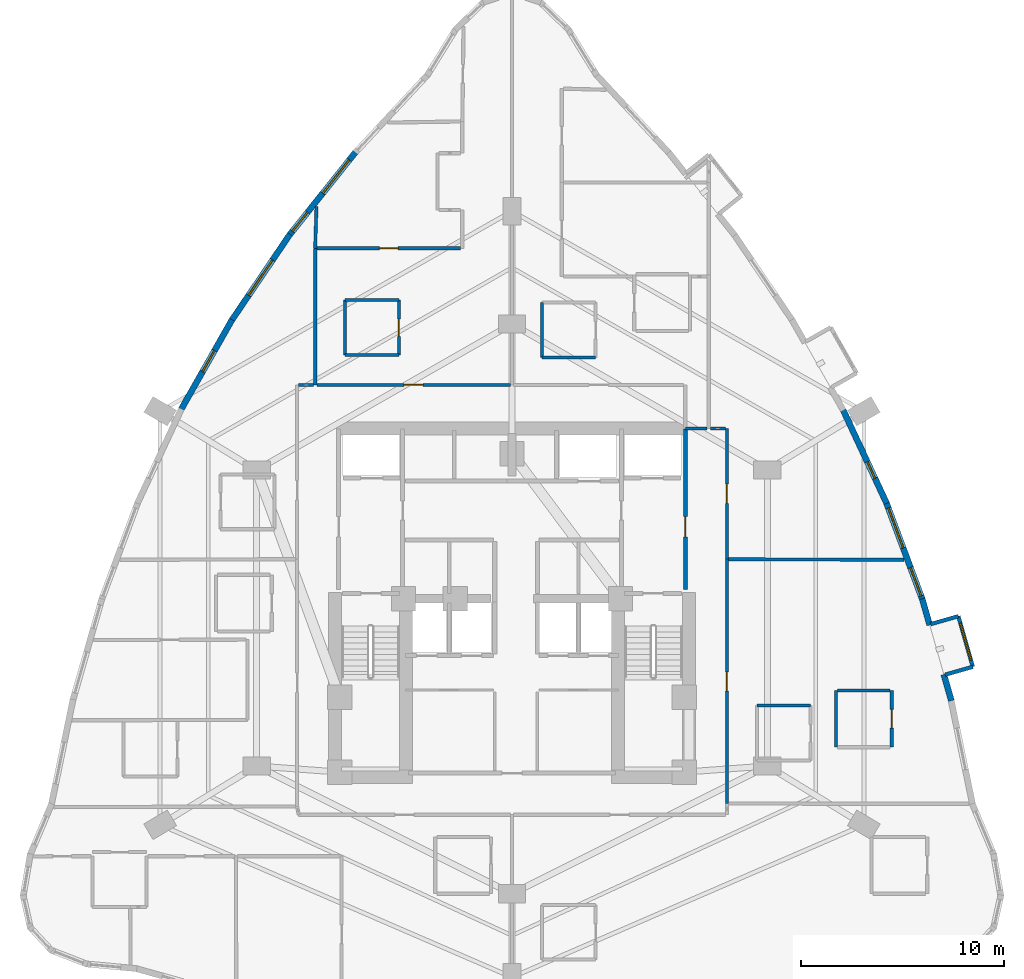
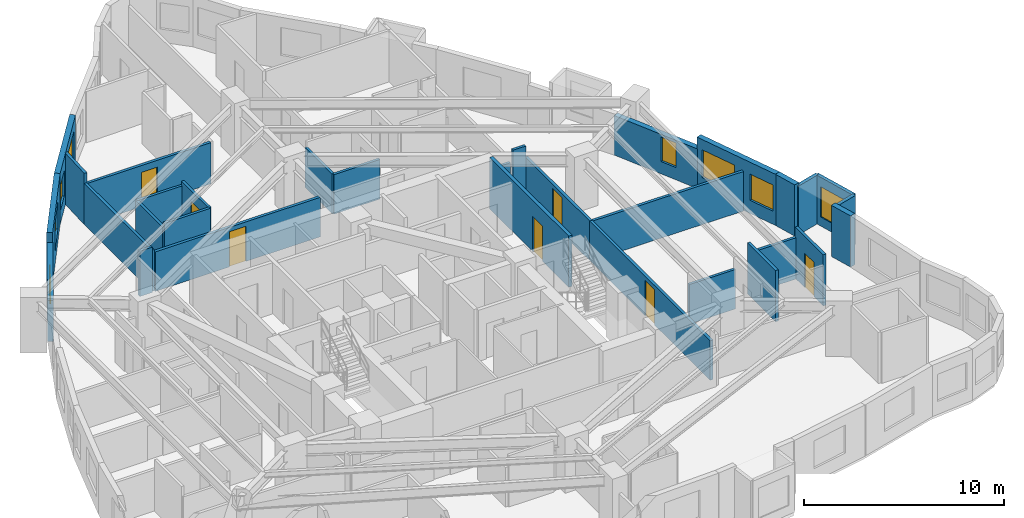
# One storey, part 12 of 15: 31 walls, 8 windows, 7 doors, 15 openings.
"""IFC4 building model written with IfcOpenShell, lengths in metres."""

from ifc_helpers import new_model, si_unit, direction, frame, frame_2d, origin, place, context, subcontext, project, spatial, rectangle, extrude, material, layer, layer_set, type_object, element, fill, save


model = new_model("IFC4")

# Units and contexts
model_context = context("Model", 3, precision=1e-05, world=origin(), true_north=direction((0.0, 1.0)))
body_context = subcontext(model_context, "Body", "Model", "MODEL_VIEW")
ifc_project = project(units=[si_unit("LENGTHUNIT", "METRE"), si_unit("AREAUNIT", "SQUARE_METRE"), si_unit("VOLUMEUNIT", "CUBIC_METRE"), si_unit("PLANEANGLEUNIT", "RADIAN"), si_unit("MASSUNIT", "GRAM", prefix="KILO")], contexts=[model_context])

# Site, building, storey
site_placement = place(None, origin())
site = spatial("IfcSite", under=ifc_project, at=site_placement, CompositionType="ELEMENT")
building_placement = place(site_placement, origin())
building = spatial("IfcBuilding", under=site, at=building_placement, Name="Miruveldt Soraemaru", CompositionType="ELEMENT")
storey_placement = place(building_placement, frame((0.0, 0.0, 83.60009765625)))
storey = spatial("IfcBuildingStorey", under=building, at=storey_placement, Name="L23", CompositionType="ELEMENT", Elevation=83.60009765625)

# Walls
ifc_material_1 = material(Name="White powder-coated aluminium EN AW-6060 T6", Category="aluminium")
ifc_layer_1 = layer(ifc_material_1, 0.18994140625, Name="White powder-coated aluminium EN AW-6060 T6", Category="aluminium")
ifc_layer_set_1 = layer_set([ifc_layer_1], Name="White powder-coated aluminium EN AW-6060 T6")
wall_type_1 = type_object("IfcWallType", Name="WALL-BAY-ALU190", PredefinedType="SOLIDWALL", material=ifc_layer_set_1)
for number, where, z_axis, x_axis, name in (
    (1, (65.36474609375, 40.301025390625, 0.0), (0.0, 0.0, 1.0), (0.961452801096, 0.274970018845, 0.0), "L23 Bay Window Side Cheek 4L"),
    (2, (66.02001953125, 43.192626953125, 0.0), (0.0, 0.0, 1.0), (-0.961452801096, -0.274970018845, 0.0), "L23 Bay Window Side Cheek 4R"),
):
    element("IfcWall", number, at=place(storey_placement, frame(where, z_axis=z_axis, x_axis=x_axis)), inside=storey, type_object=wall_type_1, Name=name, PredefinedType="SOLIDWALL", context=body_context, shape_type="SweptSolid", body=[
        extrude(rectangle(XDim=1.425048828125, YDim=0.18994140625, at=frame_2d((0.71240234375, 0.0))), origin(), (0.0, 0.0, 1.0), 2.974853515625),
    ])

# Wall, opening, window
wall_1_placement = place(storey_placement, frame((66.73486328125, 40.69287109375, 0.0), z_axis=(0.0, 0.0, 1.0), x_axis=(-0.274944358644, 0.961460139397, 0.0)))
wall_1 = element("IfcWall", 3, at=wall_1_placement, inside=storey, type_object=wall_type_1, Name="L23 Bay Window Front Frame 4", PredefinedType="SOLIDWALL", context=body_context, shape_type="SweptSolid", body=[
    extrude(rectangle(XDim=2.599853515625, YDim=0.18994140625, at=frame_2d((1.2998046875, 0.0))), origin(), (0.0, 0.0, 1.0), 2.974853515625),
])
opening_1_placement = place(wall_1_placement, frame((0.35009765625, 0.0, 0.550048828125)))
opening_1 = element("IfcOpeningElement", 4, at=opening_1_placement, cuts=wall_1, Name="Opening WN-6", PredefinedType="OPENING", context=body_context, shape_type="SweptSolid", body=[
    extrude(rectangle(XDim=1.89990234375, YDim=1.85009765625, at=frame_2d((0.949951171875, 0.925048828125))), frame((0.0, 0.10498046875, 0.0), z_axis=(0.0, -1.0, 0.0), x_axis=(1.0, 0.0, 0.0)), (0.0, 0.0, 1.0), 0.2099609375),
])
ifc_material_2 = material(Name="Triple low-e insulated glazing", Category="glass")
window_type_1 = type_object("IfcWindowType", Name="WIN-BAYW-1900x1850", PartitioningType="SINGLE_PANEL", PredefinedType="WINDOW", material=ifc_material_2)
window_1_placement = place(opening_1_placement, origin())
window_1 = element("IfcWindow", 5, at=window_1_placement, inside=storey, type_object=window_type_1, Name="L23 Projecting Bay Window 4", OverallHeight=1.85009765625, OverallWidth=1.89990234375, PartitioningType="SINGLE_PANEL", PredefinedType="WINDOW", context=body_context, shape_type="SweptSolid", body=[
    extrude(rectangle(XDim=1.89990234375, YDim=1.85009765625, at=frame_2d((0.949951171875, 0.925048828125))), frame((0.0, 0.030029296875, 0.0), z_axis=(0.0, -1.0, 0.0), x_axis=(1.0, 0.0, 0.0)), (0.0, 0.0, 1.0), 0.06005859375),
])
fill(opening_1, window_1)

# Wall, openings, windows
ifc_material_3 = material(Name="Precast concrete C45/55 (45 MPa)", Category="concrete")
ifc_layer_2 = layer(ifc_material_3, 0.300048828125, Name="Precast concrete C45/55 (45 MPa)", Category="concrete")
ifc_layer_set_2 = layer_set([ifc_layer_2], Name="Precast concrete C45/55 (45 MPa)")
wall_type_2 = type_object("IfcWallType", Name="WALL-EXT-PC300", PredefinedType="SOLIDWALL", material=ifc_layer_set_2)
wall_2_placement = place(storey_placement, frame((36.266845703125, 66.064697265625, 0.0), z_axis=(0.0, 0.0, 1.0), x_axis=(-0.623612732092, -0.781733433065, 0.0)))
wall_2 = element("IfcWall", 6, at=wall_2_placement, inside=storey, type_object=wall_type_2, Name="L23 Precast Concrete Facade Wall 8", PredefinedType="SOLIDWALL", context=body_context, shape_type="SweptSolid", body=[
    extrude(rectangle(XDim=5.2294921875, YDim=0.300048828125, at=frame_2d((2.61474609375, 0.0))), origin(), (0.0, 0.0, 1.0), 3.125),
])
opening_2_placement = place(wall_2_placement, frame((0.466064453125, 0.0, 0.800048828125)))
opening_2 = element("IfcOpeningElement", 7, at=opening_2_placement, cuts=wall_2, Name="Opening WN-1", PredefinedType="OPENING", context=body_context, shape_type="SweptSolid", body=[
    extrude(rectangle(XDim=2.10009765625, YDim=1.699951171875, at=frame_2d((1.050048828125, 0.85009765625))), frame((0.0, 0.16015625, 0.0), z_axis=(0.0, -1.0, 0.0), x_axis=(1.0, 0.0, 0.0)), (0.0, 0.0, 1.0), 0.320068359375),
])
opening_3_placement = place(wall_2_placement, frame((3.77001953125, 0.0, 0.780029296875)))
opening_3 = element("IfcOpeningElement", 8, at=opening_3_placement, cuts=wall_2, Name="Opening WN-4", PredefinedType="OPENING", context=body_context, shape_type="SweptSolid", body=[
    extrude(rectangle(XDim=1.199951171875, YDim=1.550048828125, at=frame_2d((0.60009765625, 0.77490234375))), frame((0.0, 0.16015625, 0.0), z_axis=(0.0, -1.0, 0.0), x_axis=(1.0, 0.0, 0.0)), (0.0, 0.0, 1.0), 0.320068359375),
])
window_type_2 = type_object("IfcWindowType", Name="WIN-PUNCH-1200x1550", PartitioningType="SINGLE_PANEL", PredefinedType="WINDOW", material=ifc_material_2)
window_2_placement = place(opening_3_placement, origin())
window_2 = element("IfcWindow", 9, at=window_2_placement, inside=storey, type_object=window_type_2, Name="L23 Punched Triple-Glazed Window 08.2", OverallHeight=1.550048828125, OverallWidth=1.199951171875, PartitioningType="SINGLE_PANEL", PredefinedType="WINDOW", context=body_context, shape_type="SweptSolid", body=[
    extrude(rectangle(XDim=1.199951171875, YDim=1.550048828125, at=frame_2d((0.60009765625, 0.77490234375))), frame((0.0, 0.030029296875, 0.0), z_axis=(0.0, -1.0, 0.0), x_axis=(1.0, 0.0, 0.0)), (0.0, 0.0, 1.0), 0.06005859375),
])
fill(opening_3, window_2)
window_type_3 = type_object("IfcWindowType", Name="WIN-PUNCH-2100x1700", PartitioningType="SINGLE_PANEL", PredefinedType="WINDOW", material=ifc_material_2)
window_3_placement = place(opening_2_placement, origin())
window_3 = element("IfcWindow", 10, at=window_3_placement, inside=storey, type_object=window_type_3, Name="L23 Punched Triple-Glazed Window 08.1", OverallHeight=1.699951171875, OverallWidth=2.10009765625, PartitioningType="SINGLE_PANEL", PredefinedType="WINDOW", context=body_context, shape_type="SweptSolid", body=[
    extrude(rectangle(XDim=2.10009765625, YDim=1.699951171875, at=frame_2d((1.050048828125, 0.85009765625))), frame((0.0, 0.030029296875, 0.0), z_axis=(0.0, -1.0, 0.0), x_axis=(1.0, 0.0, 0.0)), (0.0, 0.0, 1.0), 0.06005859375),
])
fill(opening_2, window_3)

# Wall, opening, window
wall_3_placement = place(storey_placement, frame((33.047119140625, 62.032958984375, 0.0), z_axis=(0.0, 0.0, 1.0), x_axis=(-0.560814703754, -0.827941343365, 0.0)))
wall_3 = element("IfcWall", 11, at=wall_3_placement, inside=storey, type_object=wall_type_2, Name="L23 Precast Concrete Facade Wall 9", PredefinedType="SOLIDWALL", context=body_context, shape_type="SweptSolid", body=[
    extrude(rectangle(XDim=5.165771484375, YDim=0.300048828125, at=frame_2d((2.5830078125, 0.0))), origin(), (0.0, 0.0, 1.0), 3.125),
])
opening_4_placement = place(wall_3_placement, frame((1.532958984375, 0.0, 0.800048828125)))
opening_4 = element("IfcOpeningElement", 12, at=opening_4_placement, cuts=wall_3, Name="Opening WN-1", PredefinedType="OPENING", context=body_context, shape_type="SweptSolid", body=[
    extrude(rectangle(XDim=2.10009765625, YDim=1.699951171875, at=frame_2d((1.050048828125, 0.85009765625))), frame((0.0, 0.16015625, 0.0), z_axis=(0.0, -1.0, 0.0), x_axis=(1.0, 0.0, 0.0)), (0.0, 0.0, 1.0), 0.320068359375),
])
window_4_placement = place(opening_4_placement, origin())
window_4 = element("IfcWindow", 13, at=window_4_placement, inside=storey, type_object=window_type_3, Name="L23 Punched Triple-Glazed Window 09.1", OverallHeight=1.699951171875, OverallWidth=2.10009765625, PartitioningType="SINGLE_PANEL", PredefinedType="WINDOW", context=body_context, shape_type="SweptSolid", body=[
    extrude(rectangle(XDim=2.10009765625, YDim=1.699951171875, at=frame_2d((1.050048828125, 0.85009765625))), frame((0.0, 0.030029296875, 0.0), z_axis=(0.0, -1.0, 0.0), x_axis=(1.0, 0.0, 0.0)), (0.0, 0.0, 1.0), 0.06005859375),
])
fill(opening_4, window_4)

wall_4_placement = place(storey_placement, frame((30.18701171875, 57.815673828125, 0.0), z_axis=(0.0, 0.0, 1.0), x_axis=(-0.493380922918, -0.869813350611, 0.0)))
wall_4 = element("IfcWall", 14, at=wall_4_placement, inside=storey, type_object=wall_type_2, Name="L23 Precast Concrete Facade Wall 10", PredefinedType="SOLIDWALL", context=body_context, shape_type="SweptSolid", body=[
    extrude(rectangle(XDim=5.13330078125, YDim=0.300048828125, at=frame_2d((2.566650390625, 0.0))), origin(), (0.0, 0.0, 1.0), 2.512939453125),
])
opening_5_placement = place(wall_4_placement, frame((1.7529296875, 0.0, 0.780029296875)))
opening_5 = element("IfcOpeningElement", 15, at=opening_5_placement, cuts=wall_4, Name="Opening WN-4", PredefinedType="OPENING", context=body_context, shape_type="SweptSolid", body=[
    extrude(rectangle(XDim=1.199951171875, YDim=1.550048828125, at=frame_2d((0.60009765625, 0.77490234375))), frame((0.0, 0.16015625, 0.0), z_axis=(0.0, -1.0, 0.0), x_axis=(1.0, 0.0, 0.0)), (0.0, 0.0, 1.0), 0.320068359375),
])
window_5_placement = place(opening_5_placement, origin())
window_5 = element("IfcWindow", 16, at=window_5_placement, inside=storey, type_object=window_type_2, Name="L23 Punched Triple-Glazed Window 10.1", OverallHeight=1.550048828125, OverallWidth=1.199951171875, PartitioningType="SINGLE_PANEL", PredefinedType="WINDOW", context=body_context, shape_type="SweptSolid", body=[
    extrude(rectangle(XDim=1.199951171875, YDim=1.550048828125, at=frame_2d((0.60009765625, 0.77490234375))), frame((0.0, 0.030029296875, 0.0), z_axis=(0.0, -1.0, 0.0), x_axis=(1.0, 0.0, 0.0)), (0.0, 0.0, 1.0), 0.06005859375),
])
fill(opening_5, window_5)

# Walls
for number, where, z_axis, x_axis, name in (
    (17, (65.67333984375, 39.021728515625, 0.0), (0.0, 0.0, 1.0), (-0.27486499374, 0.961482831472, 0.0), "L23 Precast Pier Wall 36A"),
    (18, (64.605224609375, 42.7568359375, 0.0), (0.0, 0.0, 1.0), (-0.27486499374, 0.961482831472, 0.0), "L23 Precast Pier Wall 36B"),
):
    element("IfcWall", number, at=place(storey_placement, frame(where, z_axis=z_axis, x_axis=x_axis)), inside=storey, type_object=wall_type_2, Name=name, PredefinedType="SOLIDWALL", context=body_context, shape_type="SweptSolid", body=[
        extrude(rectangle(XDim=1.3447265625, YDim=0.300048828125, at=frame_2d((0.67236328125, 0.0))), origin(), (0.0, 0.0, 1.0), 3.125),
    ])

# Wall, openings, windows
wall_5_placement = place(storey_placement, frame((64.25732421875, 43.9833984375, 0.0), z_axis=(0.0, 0.0, 1.0), x_axis=(-0.349030087006, 0.937111518638, 0.0)))
wall_5 = element("IfcWall", 19, at=wall_5_placement, inside=storey, type_object=wall_type_2, Name="L23 Precast Concrete Facade Wall 37", PredefinedType="SOLIDWALL", context=body_context, shape_type="SweptSolid", body=[
    extrude(rectangle(XDim=5.165771484375, YDim=0.300048828125, at=frame_2d((2.5830078125, 0.0))), origin(), (0.0, 0.0, 1.0), 3.125),
])
opening_6_placement = place(wall_5_placement, frame((0.220947265625, 0.0, 0.800048828125)))
opening_6 = element("IfcOpeningElement", 20, at=opening_6_placement, cuts=wall_5, Name="Opening WN-3", PredefinedType="OPENING", context=body_context, shape_type="SweptSolid", body=[
    extrude(rectangle(XDim=1.5, YDim=1.60009765625, at=frame_2d((0.75, 0.800048828125))), frame((0.0, 0.16015625, 0.0), z_axis=(0.0, -1.0, 0.0), x_axis=(1.0, 0.0, 0.0)), (0.0, 0.0, 1.0), 0.320068359375),
])
opening_7_placement = place(wall_5_placement, frame((2.743896484375, 0.0, 0.800048828125)))
opening_7 = element("IfcOpeningElement", 21, at=opening_7_placement, cuts=wall_5, Name="Opening WN-1", PredefinedType="OPENING", context=body_context, shape_type="SweptSolid", body=[
    extrude(rectangle(XDim=2.10009765625, YDim=1.699951171875, at=frame_2d((1.050048828125, 0.85009765625))), frame((0.0, 0.16015625, 0.0), z_axis=(0.0, -1.0, 0.0), x_axis=(1.0, 0.0, 0.0)), (0.0, 0.0, 1.0), 0.320068359375),
])
window_type_4 = type_object("IfcWindowType", Name="WIN-PUNCH-1500x1600", PartitioningType="SINGLE_PANEL", PredefinedType="WINDOW", material=ifc_material_2)
window_6_placement = place(opening_6_placement, origin())
window_6 = element("IfcWindow", 22, at=window_6_placement, inside=storey, type_object=window_type_4, Name="L23 Punched Triple-Glazed Window 37.1", OverallHeight=1.60009765625, OverallWidth=1.5, PartitioningType="SINGLE_PANEL", PredefinedType="WINDOW", context=body_context, shape_type="SweptSolid", body=[
    extrude(rectangle(XDim=1.5, YDim=1.60009765625, at=frame_2d((0.75, 0.800048828125))), frame((0.0, 0.030029296875, 0.0), z_axis=(0.0, -1.0, 0.0), x_axis=(1.0, 0.0, 0.0)), (0.0, 0.0, 1.0), 0.06005859375),
])
fill(opening_6, window_6)
window_7_placement = place(opening_7_placement, origin())
window_7 = element("IfcWindow", 23, at=window_7_placement, inside=storey, type_object=window_type_3, Name="L23 Punched Triple-Glazed Window 37.2", OverallHeight=1.699951171875, OverallWidth=2.10009765625, PartitioningType="SINGLE_PANEL", PredefinedType="WINDOW", context=body_context, shape_type="SweptSolid", body=[
    extrude(rectangle(XDim=2.10009765625, YDim=1.699951171875, at=frame_2d((1.050048828125, 0.85009765625))), frame((0.0, 0.030029296875, 0.0), z_axis=(0.0, -1.0, 0.0), x_axis=(1.0, 0.0, 0.0)), (0.0, 0.0, 1.0), 0.06005859375),
])
fill(opening_7, window_7)

# Wall, opening, window
wall_6_placement = place(storey_placement, frame((62.4814453125, 48.759521484375, 0.0), z_axis=(0.0, 0.0, 1.0), x_axis=(-0.422330811378, 0.906441771853, 0.0)))
wall_6 = element("IfcWall", 24, at=wall_6_placement, inside=storey, type_object=wall_type_2, Name="L23 Precast Concrete Facade Wall 38", PredefinedType="SOLIDWALL", context=body_context, shape_type="SweptSolid", body=[
    extrude(rectangle(XDim=5.13330078125, YDim=0.300048828125, at=frame_2d((2.566650390625, 0.0))), origin(), (0.0, 0.0, 1.0), 2.412841796875),
])
opening_8_placement = place(wall_6_placement, frame((1.361083984375, 0.0, 0.7529296875)))
opening_8 = element("IfcOpeningElement", 25, at=opening_8_placement, cuts=wall_6, Name="Opening WN-7", PredefinedType="OPENING", context=body_context, shape_type="SweptSolid", body=[
    extrude(rectangle(XDim=0.89990234375, YDim=1.5, at=frame_2d((0.449951171875, 0.75))), frame((0.0, 0.16015625, 0.0), z_axis=(0.0, -1.0, 0.0), x_axis=(1.0, 0.0, 0.0)), (0.0, 0.0, 1.0), 0.320068359375),
])
window_type_5 = type_object("IfcWindowType", Name="WIN-PUNCH-900x1500", PartitioningType="SINGLE_PANEL", PredefinedType="WINDOW", material=ifc_material_2)
window_8_placement = place(opening_8_placement, origin())
window_8 = element("IfcWindow", 26, at=window_8_placement, inside=storey, type_object=window_type_5, Name="L23 Punched Triple-Glazed Window 38.1", OverallHeight=1.5, OverallWidth=0.89990234375, PartitioningType="SINGLE_PANEL", PredefinedType="WINDOW", context=body_context, shape_type="SweptSolid", body=[
    extrude(rectangle(XDim=0.89990234375, YDim=1.5, at=frame_2d((0.449951171875, 0.75))), frame((0.0, 0.030029296875, 0.0), z_axis=(0.0, -1.0, 0.0), x_axis=(1.0, 0.0, 0.0)), (0.0, 0.0, 1.0), 0.06005859375),
])
fill(opening_8, window_8)

# Wall, opening, door
ifc_material_4 = material(Name="Gypsum plasterboard lining", Category="gypsum")
ifc_layer_3 = layer(ifc_material_4, 0.14990234375, Name="Gypsum plasterboard lining", Category="gypsum")
ifc_layer_set_3 = layer_set([ifc_layer_3], Name="Gypsum plasterboard lining")
wall_type_3 = type_object("IfcWallType", Name="WALL-INT-PLUMB", PredefinedType="PLUMBINGWALL", material=ifc_layer_set_3)
wall_7_placement = place(storey_placement, frame((38.419921875, 56.080078125, 0.0), z_axis=(0.0, 0.0, 1.0), x_axis=(0.0, 1.0, 0.0)))
wall_7 = element("IfcWall", 27, at=wall_7_placement, inside=storey, type_object=wall_type_3, Name="L23 Partition Wall 21", PredefinedType="PLUMBINGWALL", context=body_context, shape_type="SweptSolid", body=[
    extrude(rectangle(XDim=2.699951171875, YDim=0.14990234375, at=frame_2d((1.35009765625, 0.0))), origin(), (0.0, 0.0, 1.0), 2.762939453125),
])
opening_9_placement = place(wall_7_placement, frame((0.909912109375, 0.0, 0.0)))
opening_9 = element("IfcOpeningElement", 28, at=opening_9_placement, cuts=wall_7, Name="Opening FD3", PredefinedType="OPENING", context=body_context, shape_type="SweptSolid", body=[
    extrude(rectangle(XDim=0.85009765625, YDim=2.10009765625, at=frame_2d((0.425048828125, 1.050048828125))), frame((0.0, 0.0849609375, 0.0), z_axis=(0.0, -1.0, 0.0), x_axis=(1.0, 0.0, 0.0)), (0.0, 0.0, 1.0), 0.169921875),
])
ifc_material_5 = material(Name="Anodised aluminium EN AW-6063 T6", Category="aluminium")
door_type_1 = type_object("IfcDoorType", Name="DOOR-FD3-850", OperationType="NOTDEFINED", PredefinedType="DOOR", material=ifc_material_5)
door_1_placement = place(opening_9_placement, origin())
door_1 = element("IfcDoor", 29, at=door_1_placement, inside=storey, type_object=door_type_1, Name="L23 Unit 2302 BTH Door", OperationType="SINGLE_SWING_LEFT", OverallHeight=2.10009765625, OverallWidth=0.85009765625, PredefinedType="DOOR", context=body_context, shape_type="SweptSolid", body=[
    extrude(rectangle(XDim=0.85009765625, YDim=2.10009765625, at=frame_2d((0.425048828125, 1.050048828125))), frame((0.0, 0.02490234375, 0.0), z_axis=(0.0, -1.0, 0.0), x_axis=(1.0, 0.0, 0.0)), (0.0, 0.0, 1.0), 0.050048828125),
])
fill(opening_9, door_1)

# Walls
wall_8_placement = place(storey_placement, frame((35.77001953125, 58.780029296875, 0.0), z_axis=(0.0, 0.0, 1.0), x_axis=(0.0, -1.0, 0.0)))
element("IfcWall", 30, at=wall_8_placement, inside=storey, type_object=wall_type_3, Name="L23 Partition Wall 23", PredefinedType="PLUMBINGWALL", context=body_context, shape_type="SweptSolid", body=[
    extrude(rectangle(XDim=2.699951171875, YDim=0.14990234375, at=frame_2d((1.35009765625, 0.0))), origin(), (0.0, 0.0, 1.0), 2.512939453125),
])
wall_9_placement = place(storey_placement, frame((45.47998046875, 58.656982421875, 0.0), z_axis=(0.0, 0.0, 1.0), x_axis=(0.0, -1.0, 0.0)))
element("IfcWall", 31, at=wall_9_placement, inside=storey, type_object=wall_type_3, Name="L23 Partition Wall 36", PredefinedType="PLUMBINGWALL", context=body_context, shape_type="SweptSolid", body=[
    extrude(rectangle(XDim=2.699951171875, YDim=0.14990234375, at=frame_2d((1.35009765625, 0.0))), origin(), (0.0, 0.0, 1.0), 2.412841796875),
])
wall_10_placement = place(storey_placement, frame((45.47998046875, 55.95703125, 0.0), z_axis=(0.0, 0.0, 1.0), x_axis=(1.0, 0.0, 0.0)))
element("IfcWall", 32, at=wall_10_placement, inside=storey, type_object=wall_type_3, Name="L23 Partition Wall 37", PredefinedType="PLUMBINGWALL", context=body_context, shape_type="SweptSolid", body=[
    extrude(rectangle(XDim=2.64990234375, YDim=0.14990234375, at=frame_2d((1.324951171875, 0.0))), origin(), (0.0, 0.0, 1.0), 2.412841796875),
])
wall_11_placement = place(storey_placement, frame((38.419921875, 58.780029296875, 0.0), z_axis=(0.0, 0.0, 1.0), x_axis=(-1.0, 0.0, 0.0)))
element("IfcWall", 33, at=wall_11_placement, inside=storey, type_object=wall_type_3, Name="L23 Partition Wall 22", PredefinedType="PLUMBINGWALL", context=body_context, shape_type="SweptSolid", body=[
    extrude(rectangle(XDim=2.64990234375, YDim=0.14990234375, at=frame_2d((1.324951171875, 0.0))), origin(), (0.0, 0.0, 1.0), 2.512939453125),
])
wall_12_placement = place(storey_placement, frame((35.77001953125, 56.080078125, 0.0), z_axis=(0.0, 0.0, 1.0), x_axis=(1.0, 0.0, 0.0)))
element("IfcWall", 34, at=wall_12_placement, inside=storey, type_object=wall_type_3, Name="L23 Partition Wall 24", PredefinedType="PLUMBINGWALL", context=body_context, shape_type="SweptSolid", body=[
    extrude(rectangle(XDim=2.64990234375, YDim=0.14990234375, at=frame_2d((1.324951171875, 0.0))), origin(), (0.0, 0.0, 1.0), 2.762939453125),
])
wall_13_placement = place(storey_placement, frame((58.72998046875, 38.780029296875, 0.0), z_axis=(0.0, 0.0, 1.0), x_axis=(-1.0, 0.0, 0.0)))
element("IfcWall", 35, at=wall_13_placement, inside=storey, type_object=wall_type_3, Name="L23 Partition Wall 87", PredefinedType="PLUMBINGWALL", context=body_context, shape_type="SweptSolid", body=[
    extrude(rectangle(XDim=2.64990234375, YDim=0.14990234375, at=frame_2d((1.324951171875, 0.0))), origin(), (0.0, 0.0, 1.0), 2.412841796875),
])

# Wall, opening, door
ifc_material_6 = material(Name="Concrete C40/50 (40 MPa)", Category="concrete")
ifc_layer_4 = layer(ifc_material_6, 0.159912109375, Name="Concrete C40/50 (40 MPa)", Category="concrete")
ifc_layer_set_4 = layer_set([ifc_layer_4], Name="Concrete C40/50 (40 MPa)")
wall_type_4 = type_object("IfcWallType", Name="WALL-INT-RC160", PredefinedType="SOLIDWALL", material=ifc_layer_set_4)
wall_14_placement = place(storey_placement, frame((54.60009765625, 33.949951171875, 0.0), z_axis=(0.0, 0.0, 1.0), x_axis=(0.0, 1.0, 0.0)))
wall_14 = element("IfcWall", 36, at=wall_14_placement, inside=storey, type_object=wall_type_4, Name="L23 Partition Wall 13", PredefinedType="SOLIDWALL", context=body_context, shape_type="SweptSolid", body=[
    extrude(rectangle(XDim=12.050048828125, YDim=0.159912109375, at=frame_2d((6.02490234375, 0.0))), origin(), (0.0, 0.0, 1.0), 2.412841796875),
])
opening_10_placement = place(wall_14_placement, frame((5.550048828125, 0.0, 0.0)))
opening_10 = element("IfcOpeningElement", 37, at=opening_10_placement, cuts=wall_14, Name="Opening FD2", PredefinedType="OPENING", context=body_context, shape_type="SweptSolid", body=[
    extrude(rectangle(XDim=0.949951171875, YDim=2.14990234375, at=frame_2d((0.47509765625, 1.074951171875))), frame((0.0, 0.08984375, 0.0), z_axis=(0.0, -1.0, 0.0), x_axis=(1.0, 0.0, 0.0)), (0.0, 0.0, 1.0), 0.179931640625),
])
door_type_2 = type_object("IfcDoorType", Name="DOOR-FD2-950", OperationType="NOTDEFINED", PredefinedType="DOOR", material=ifc_material_5)
door_2_placement = place(opening_10_placement, origin())
door_2 = element("IfcDoor", 38, at=door_2_placement, inside=storey, type_object=door_type_2, Name="L23 Unit CL08 Entrance Fire Door", OperationType="SINGLE_SWING_LEFT", OverallHeight=2.14990234375, OverallWidth=0.949951171875, PredefinedType="DOOR", context=body_context, shape_type="SweptSolid", body=[
    extrude(rectangle(XDim=0.949951171875, YDim=2.14990234375, at=frame_2d((0.47509765625, 1.074951171875))), frame((0.0, 0.02490234375, 0.0), z_axis=(0.0, -1.0, 0.0), x_axis=(1.0, 0.0, 0.0)), (0.0, 0.0, 1.0), 0.050048828125),
])
fill(opening_10, door_2)

wall_15_placement = place(storey_placement, frame((43.9169921875, 54.60009765625, 0.0), z_axis=(0.0, 0.0, 1.0), x_axis=(-1.0, 0.0, 0.0)))
wall_15 = element("IfcWall", 39, at=wall_15_placement, inside=storey, type_object=wall_type_4, Name="L23 Partition Wall 3", PredefinedType="SOLIDWALL", context=body_context, shape_type="SweptSolid", body=[
    extrude(rectangle(XDim=9.5439453125, YDim=0.159912109375, at=frame_2d((4.77197265625, 0.0))), origin(), (0.0, 0.0, 1.0), 2.412841796875),
])
opening_11_placement = place(wall_15_placement, frame((4.297119140625, 0.0, 0.0)))
opening_11 = element("IfcOpeningElement", 40, at=opening_11_placement, cuts=wall_15, Name="Opening FD2", PredefinedType="OPENING", context=body_context, shape_type="SweptSolid", body=[
    extrude(rectangle(XDim=0.949951171875, YDim=2.14990234375, at=frame_2d((0.47509765625, 1.074951171875))), frame((0.0, 0.08984375, 0.0), z_axis=(0.0, -1.0, 0.0), x_axis=(1.0, 0.0, 0.0)), (0.0, 0.0, 1.0), 0.179931640625),
])
door_3_placement = place(opening_11_placement, origin())
door_3 = element("IfcDoor", 41, at=door_3_placement, inside=storey, type_object=door_type_2, Name="L23 Unit 2302 Entrance Fire Door", OperationType="SINGLE_SWING_RIGHT", OverallHeight=2.14990234375, OverallWidth=0.949951171875, PredefinedType="DOOR", context=body_context, shape_type="SweptSolid", body=[
    extrude(rectangle(XDim=0.949951171875, YDim=2.14990234375, at=frame_2d((0.47509765625, 1.074951171875))), frame((0.0, 0.02490234375, 0.0), z_axis=(0.0, -1.0, 0.0), x_axis=(1.0, 0.0, 0.0)), (0.0, 0.0, 1.0), 0.050048828125),
])
fill(opening_11, door_3)

wall_16_placement = place(storey_placement, frame((41.469970703125, 61.339111328125, 0.0), z_axis=(0.0, 0.0, 1.0), x_axis=(-1.0, 0.0, 0.0)))
wall_16 = element("IfcWall", 42, at=wall_16_placement, inside=storey, type_object=wall_type_4, Name="L23 Partition Wall 30", PredefinedType="SOLIDWALL", context=body_context, shape_type="SweptSolid", body=[
    extrude(rectangle(XDim=7.099853515625, YDim=0.159912109375, at=frame_2d((3.5498046875, 0.0))), origin(), (0.0, 0.0, 1.0), 2.512939453125),
])
opening_12_placement = place(wall_16_placement, frame((3.090087890625, 0.0, 0.0)))
opening_12 = element("IfcOpeningElement", 43, at=opening_12_placement, cuts=wall_16, Name="Opening D3A", PredefinedType="OPENING", context=body_context, shape_type="SweptSolid", body=[
    extrude(rectangle(XDim=0.919921875, YDim=2.10009765625, at=frame_2d((0.4599609375, 1.050048828125))), frame((0.0, 0.08984375, 0.0), z_axis=(0.0, -1.0, 0.0), x_axis=(1.0, 0.0, 0.0)), (0.0, 0.0, 1.0), 0.179931640625),
])
door_type_3 = type_object("IfcDoorType", Name="DOOR-INT-920", OperationType="NOTDEFINED", PredefinedType="DOOR", material=ifc_material_5)
door_4_placement = place(opening_12_placement, origin())
door_4 = element("IfcDoor", 44, at=door_4_placement, inside=storey, type_object=door_type_3, Name="L23 Unit 2302 BD1 Door", OperationType="SINGLE_SWING_RIGHT", OverallHeight=2.10009765625, OverallWidth=0.919921875, PredefinedType="DOOR", context=body_context, shape_type="SweptSolid", body=[
    extrude(rectangle(XDim=0.919921875, YDim=2.10009765625, at=frame_2d((0.4599609375, 1.050048828125))), frame((0.0, 0.02490234375, 0.0), z_axis=(0.0, -1.0, 0.0), x_axis=(1.0, 0.0, 0.0)), (0.0, 0.0, 1.0), 0.050048828125),
])
fill(opening_12, door_4)

wall_17_placement = place(storey_placement, frame((54.60009765625, 46.0, 0.0), z_axis=(0.0, 0.0, 1.0), x_axis=(0.0, 1.0, 0.0)))
wall_17 = element("IfcWall", 45, at=wall_17_placement, inside=storey, type_object=wall_type_4, Name="L23 Partition Wall 7", PredefinedType="SOLIDWALL", context=body_context, shape_type="SweptSolid", body=[
    extrude(rectangle(XDim=6.449951171875, YDim=0.159912109375, at=frame_2d((3.22509765625, 0.0))), origin(), (0.0, 0.0, 1.0), 2.412841796875),
])
opening_13_placement = place(wall_17_placement, frame((2.75, 0.0, 0.0)))
opening_13 = element("IfcOpeningElement", 46, at=opening_13_placement, cuts=wall_17, Name="Opening FD2", PredefinedType="OPENING", context=body_context, shape_type="SweptSolid", body=[
    extrude(rectangle(XDim=0.949951171875, YDim=2.14990234375, at=frame_2d((0.47509765625, 1.074951171875))), frame((0.0, 0.08984375, 0.0), z_axis=(0.0, -1.0, 0.0), x_axis=(1.0, 0.0, 0.0)), (0.0, 0.0, 1.0), 0.179931640625),
])
door_5_placement = place(opening_13_placement, origin())
door_5 = element("IfcDoor", 47, at=door_5_placement, inside=storey, type_object=door_type_2, Name="L23 Unit CL04 Entrance Fire Door", OperationType="SINGLE_SWING_LEFT", OverallHeight=2.14990234375, OverallWidth=0.949951171875, PredefinedType="DOOR", context=body_context, shape_type="SweptSolid", body=[
    extrude(rectangle(XDim=0.949951171875, YDim=2.14990234375, at=frame_2d((0.47509765625, 1.074951171875))), frame((0.0, 0.02490234375, 0.0), z_axis=(0.0, -1.0, 0.0), x_axis=(1.0, 0.0, 0.0)), (0.0, 0.0, 1.0), 0.050048828125),
])
fill(opening_13, door_5)

wall_18_placement = place(storey_placement, frame((62.72998046875, 36.72998046875, 0.0), z_axis=(0.0, 0.0, 1.0), x_axis=(0.0, 1.0, 0.0)))
wall_18 = element("IfcWall", 48, at=wall_18_placement, inside=storey, type_object=wall_type_4, Name="L23 Partition Wall 90", PredefinedType="SOLIDWALL", context=body_context, shape_type="SweptSolid", body=[
    extrude(rectangle(XDim=2.800048828125, YDim=0.159912109375, at=frame_2d((1.39990234375, 0.0))), origin(), (0.0, 0.0, 1.0), 3.125),
])
opening_14_placement = place(wall_18_placement, frame((0.93994140625, 0.0, 0.0)))
opening_14 = element("IfcOpeningElement", 49, at=opening_14_placement, cuts=wall_18, Name="Opening D3A", PredefinedType="OPENING", context=body_context, shape_type="SweptSolid", body=[
    extrude(rectangle(XDim=0.919921875, YDim=2.10009765625, at=frame_2d((0.4599609375, 1.050048828125))), frame((0.0, 0.08984375, 0.0), z_axis=(0.0, -1.0, 0.0), x_axis=(1.0, 0.0, 0.0)), (0.0, 0.0, 1.0), 0.179931640625),
])
door_6_placement = place(opening_14_placement, origin())
door_6 = element("IfcDoor", 50, at=door_6_placement, inside=storey, type_object=door_type_3, Name="L23 Unit CL08 KIT Door", OperationType="SINGLE_SWING_LEFT", OverallHeight=2.10009765625, OverallWidth=0.919921875, PredefinedType="DOOR", context=body_context, shape_type="SweptSolid", body=[
    extrude(rectangle(XDim=0.919921875, YDim=2.10009765625, at=frame_2d((0.4599609375, 1.050048828125))), frame((0.0, 0.02490234375, 0.0), z_axis=(0.0, -1.0, 0.0), x_axis=(1.0, 0.0, 0.0)), (0.0, 0.0, 1.0), 0.050048828125),
])
fill(opening_14, door_6)

# Walls
wall_19_placement = place(storey_placement, frame((54.679931640625, 46.0, 0.0), z_axis=(0.0, 0.0, 1.0), x_axis=(0.99999398955, -0.00346711187, 0.0)))
element("IfcWall", 51, at=wall_19_placement, inside=storey, type_object=wall_type_4, Name="L23 Partition Wall 50", PredefinedType="SOLIDWALL", context=body_context, shape_type="SweptSolid", body=[
    extrude(rectangle(XDim=8.6611328125, YDim=0.159912109375, at=frame_2d((4.33056640625, 0.0))), origin(), (0.0, 0.0, 1.0), 2.412841796875),
])
wall_20_placement = place(storey_placement, frame((34.2900390625, 54.60302734375, 0.0), z_axis=(0.0, 0.0, 1.0), x_axis=(0.0, 1.0, 0.0)))
element("IfcWall", 52, at=wall_20_placement, inside=storey, type_object=wall_type_4, Name="L23 Partition Wall 18", PredefinedType="SOLIDWALL", context=body_context, shape_type="SweptSolid", body=[
    extrude(rectangle(XDim=6.73291015625, YDim=0.159912109375, at=frame_2d((3.366455078125, 0.0))), origin(), (0.0, 0.0, 1.0), 2.512939453125),
])
wall_21_placement = place(storey_placement, frame((59.97998046875, 39.530029296875, 0.0), z_axis=(0.0, 0.0, 1.0), x_axis=(0.0, -1.0, 0.0)))
element("IfcWall", 53, at=wall_21_placement, inside=storey, type_object=wall_type_4, Name="L23 Partition Wall 92", PredefinedType="SOLIDWALL", context=body_context, shape_type="SweptSolid", body=[
    extrude(rectangle(XDim=2.800048828125, YDim=0.159912109375, at=frame_2d((1.39990234375, 0.0))), origin(), (0.0, 0.0, 1.0), 3.125),
])
wall_22_placement = place(storey_placement, frame((62.64990234375, 39.530029296875, 0.0), z_axis=(0.0, 0.0, 1.0), x_axis=(-1.0, 0.0, 0.0)))
element("IfcWall", 54, at=wall_22_placement, inside=storey, type_object=wall_type_4, Name="L23 Partition Wall 91", PredefinedType="SOLIDWALL", context=body_context, shape_type="SweptSolid", body=[
    extrude(rectangle(XDim=2.58984375, YDim=0.159912109375, at=frame_2d((1.294921875, 0.0))), origin(), (0.0, 0.0, 1.0), 2.512939453125),
])
wall_23_placement = place(storey_placement, frame((34.2900390625, 61.339111328125, 0.0), z_axis=(0.0, 0.0, 1.0), x_axis=(0.031891120797, 0.999491348844, 0.0)))
element("IfcWall", 55, at=wall_23_placement, inside=storey, type_object=wall_type_4, Name="L23 Partition Wall 19", PredefinedType="SOLIDWALL", context=body_context, shape_type="SweptSolid", body=[
    extrude(rectangle(XDim=2.06689453125, YDim=0.159912109375, at=frame_2d((1.033447265625, 0.0))), origin(), (0.0, 0.0, 1.0), 3.125),
])
wall_24_placement = place(storey_placement, frame((53.6298828125, 52.449951171875, 0.0), z_axis=(0.0, 0.0, 1.0), x_axis=(-1.0, 0.0, 0.0)))
element("IfcWall", 56, at=wall_24_placement, inside=storey, type_object=wall_type_4, Name="L23 Partition Wall 4", PredefinedType="SOLIDWALL", context=body_context, shape_type="SweptSolid", body=[
    extrude(rectangle(XDim=1.079833984375, YDim=0.159912109375, at=frame_2d((0.5400390625, 0.0))), origin(), (0.0, 0.0, 1.0), 2.412841796875),
])
wall_25_placement = place(storey_placement, frame((34.2099609375, 54.60009765625, 0.0), z_axis=(0.0, 0.0, 1.0), x_axis=(-1.0, 0.0, 0.0)))
element("IfcWall", 57, at=wall_25_placement, inside=storey, type_object=wall_type_4, Name="L23 Partition Wall 1", PredefinedType="SOLIDWALL", context=body_context, shape_type="SweptSolid", body=[
    extrude(rectangle(XDim=0.72998046875, YDim=0.159912109375, at=frame_2d((0.364990234375, 0.0))), origin(), (0.0, 0.0, 1.0), 2.762939453125),
])
wall_26_placement = place(storey_placement, frame((54.52001953125, 52.449951171875, 0.0), z_axis=(0.0, 0.0, 1.0), x_axis=(-1.0, 0.0, 0.0)))
element("IfcWall", 58, at=wall_26_placement, inside=storey, type_object=wall_type_4, Name="L23 Partition Wall 8", PredefinedType="SOLIDWALL", context=body_context, shape_type="SweptSolid", body=[
    extrude(rectangle(XDim=0.72998046875, YDim=0.159912109375, at=frame_2d((0.364990234375, 0.0))), origin(), (0.0, 0.0, 1.0), 3.125),
])

# Wall, opening, door
ifc_layer_5 = layer(ifc_material_6, 0.199951171875, Name="Concrete C40/50 (40 MPa)", Category="concrete")
ifc_layer_set_5 = layer_set([ifc_layer_5], Name="Concrete C40/50 (40 MPa)")
wall_type_5 = type_object("IfcWallType", Name="WALL-INT-RC200", PredefinedType="SOLIDWALL", material=ifc_layer_set_5)
wall_27_placement = place(storey_placement, frame((52.550048828125, 44.5, 0.0), z_axis=(0.0, 0.0, 1.0), x_axis=(0.0, 1.0, 0.0)))
wall_27 = element("IfcWall", 59, at=wall_27_placement, inside=storey, type_object=wall_type_5, Name="L23 Core Compartment Wall FFE-OUT", PredefinedType="SOLIDWALL", context=body_context, shape_type="SweptSolid", body=[
    extrude(rectangle(XDim=7.919921875, YDim=0.199951171875, at=frame_2d((3.9599609375, 0.0))), origin(), (0.0, 0.0, 1.0), 3.125),
])
opening_15_placement = place(wall_27_placement, frame((2.60009765625, 0.0, 0.0)))
opening_15 = element("IfcOpeningElement", 60, at=opening_15_placement, cuts=wall_27, Name="Opening FD1", PredefinedType="OPENING", context=body_context, shape_type="SweptSolid", body=[
    extrude(rectangle(XDim=1.0, YDim=2.14990234375, at=frame_2d((0.5, 1.074951171875))), frame((0.0, 0.10986328125, 0.0), z_axis=(0.0, -1.0, 0.0), x_axis=(1.0, 0.0, 0.0)), (0.0, 0.0, 1.0), 0.219970703125),
])
door_type_4 = type_object("IfcDoorType", Name="DOOR-FD1-1000", OperationType="NOTDEFINED", PredefinedType="DOOR", material=ifc_material_5)
door_7_placement = place(opening_15_placement, frame((1.0, 0.0, 0.0), z_axis=(0.0, 0.0, 1.0), x_axis=(-1.0, 0.0, 0.0)))
door_7 = element("IfcDoor", 61, at=door_7_placement, inside=storey, type_object=door_type_4, Name="L23 East Firefighting Lobby Exit Door", OperationType="SINGLE_SWING_RIGHT", OverallHeight=2.14990234375, OverallWidth=1.0, PredefinedType="DOOR", context=body_context, shape_type="SweptSolid", body=[
    extrude(rectangle(XDim=1.0, YDim=2.14990234375, at=frame_2d((0.5, 1.074951171875))), frame((0.0, 0.02490234375, 0.0), z_axis=(0.0, -1.0, 0.0), x_axis=(1.0, 0.0, 0.0)), (0.0, 0.0, 1.0), 0.050048828125),
])
fill(opening_15, door_7)

save(model, "model.ifc")
